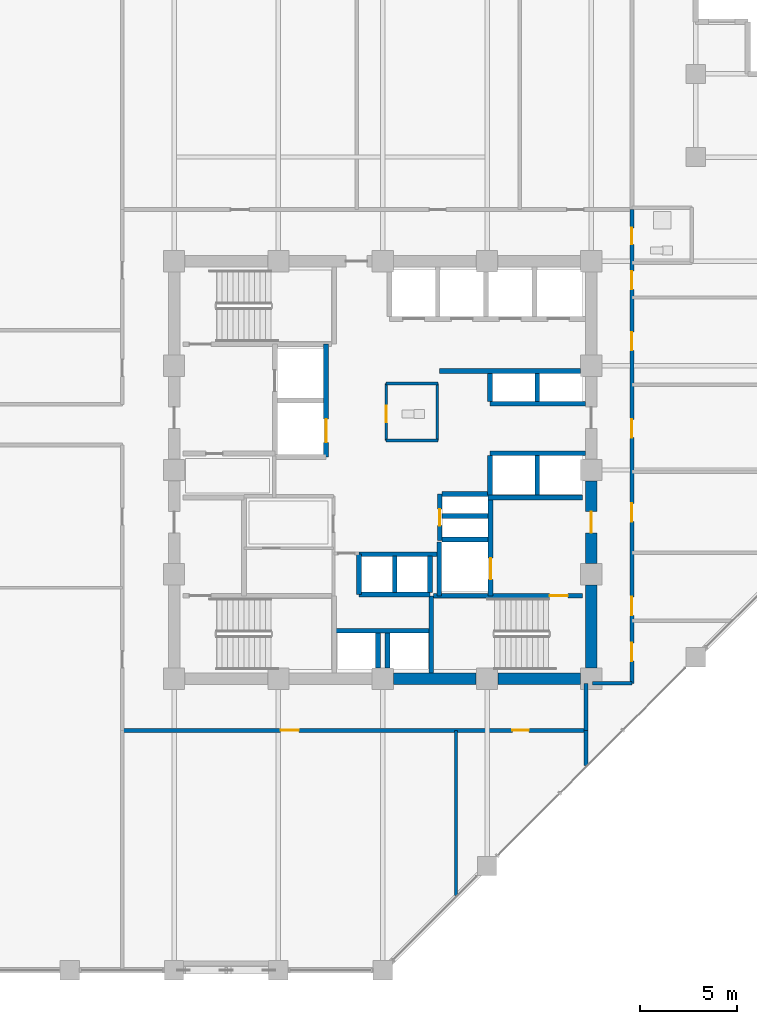
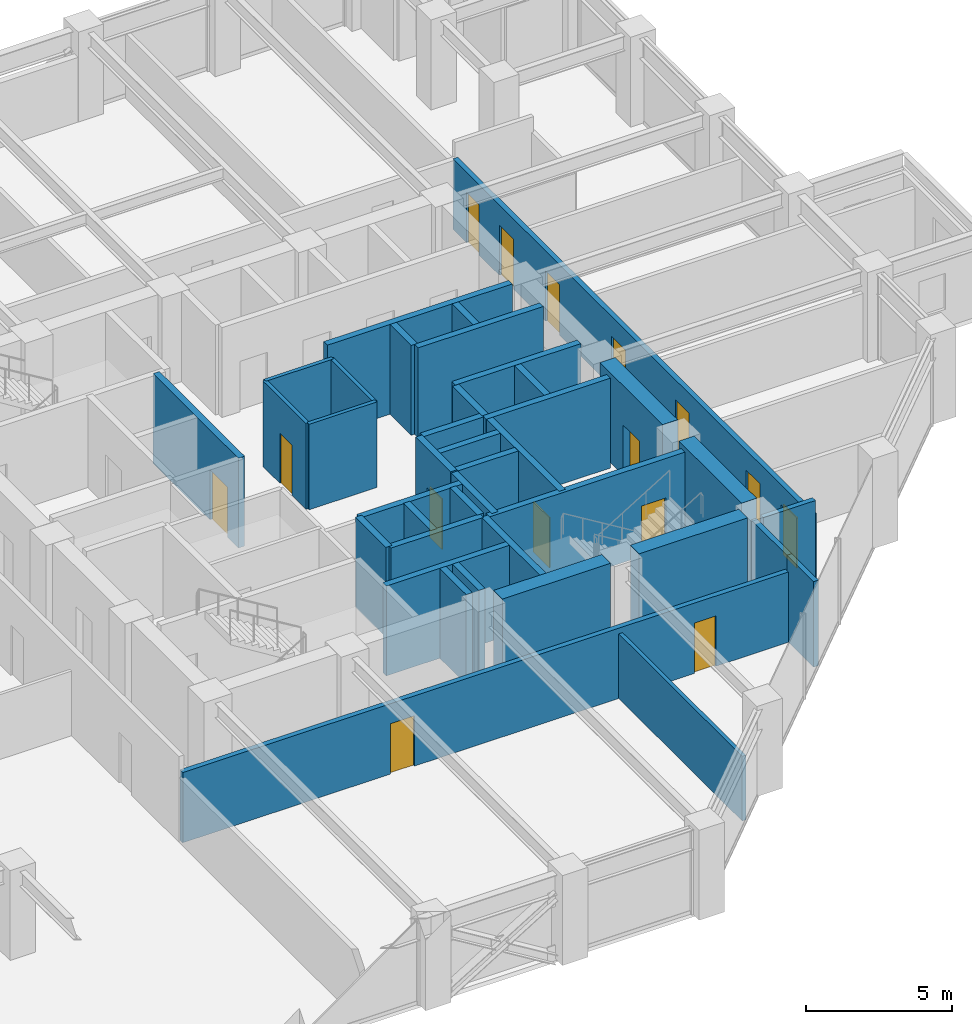
# One storey, part 19 of 25: 39 walls, 15 doors, 15 openings.
"""IFC4 building model written with IfcOpenShell, lengths in metres."""

from ifc_helpers import new_model, si_unit, direction, frame, frame_2d, origin, place, context, subcontext, project, spatial, rectangle, extrude, material, layer, layer_set, type_object, element, fill, save


model = new_model("IFC4")

# Units and contexts
model_context = context("Model", 3, precision=1e-05, world=origin(), true_north=direction((0.0, 1.0)))
body_context = subcontext(model_context, "Body", "Model", "MODEL_VIEW")
ifc_project = project(units=[si_unit("LENGTHUNIT", "METRE"), si_unit("AREAUNIT", "SQUARE_METRE"), si_unit("VOLUMEUNIT", "CUBIC_METRE"), si_unit("PLANEANGLEUNIT", "RADIAN"), si_unit("MASSUNIT", "GRAM", prefix="KILO")], contexts=[model_context])

# Site, building, storey
site_placement = place(None, origin())
site = spatial("IfcSite", under=ifc_project, at=site_placement, CompositionType="ELEMENT")
building_placement = place(site_placement, origin())
building = spatial("IfcBuilding", under=site, at=building_placement, Name="Surkhivell Harbour Commons", CompositionType="ELEMENT")
storey_placement = place(building_placement, frame((0.0, 0.0, 139.5)))
storey = spatial("IfcBuildingStorey", under=building, at=storey_placement, Name="L36", CompositionType="ELEMENT", Elevation=139.5)

# Wall
ifc_material_1 = material(Name="Concrete C60/75", Category="concrete")
ifc_layer_1 = layer(ifc_material_1, 0.60009765625)
ifc_layer_set_1 = layer_set([ifc_layer_1], Name="Concrete C60/75")
wall_type_1 = type_object("IfcWallType", Name="WAL-CORE-600", PredefinedType="SHEAR", material=ifc_layer_set_1)
wall_1_placement = place(storey_placement, frame((10.800048828125, -10.239990234375, 0.0), z_axis=(0.0, 0.0, 1.0), x_axis=(0.0, 1.0, 0.0)))
element("IfcWall", 1, at=wall_1_placement, inside=storey, type_object=wall_type_1, Name="L36 Core Shear Wall East 1", PredefinedType="SHEAR", context=body_context, shape_type="SweptSolid", body=[
    extrude(rectangle(XDim=4.280029296875, YDim=0.60009765625, at=frame_2d((2.14013671875, 0.0))), origin(), (0.0, 0.0, 1.0), 3.75),
])

# Wall, opening, door
wall_2_placement = place(storey_placement, frame((10.800048828125, -4.840087890625, 0.0), z_axis=(0.0, 0.0, 1.0), x_axis=(0.0, 1.0, 0.0)))
wall_2 = element("IfcWall", 2, at=wall_2_placement, inside=storey, type_object=wall_type_1, Name="L36 Core Shear Wall East 2", PredefinedType="SHEAR", context=body_context, shape_type="SweptSolid", body=[
    extrude(rectangle(XDim=4.280029296875, YDim=0.60009765625, at=frame_2d((2.14013671875, 0.0))), origin(), (0.0, 0.0, 1.0), 3.75),
])
opening_1_placement = place(wall_2_placement, frame((1.590087890625, 0.0, 0.0)))
opening_1 = element("IfcOpeningElement", 3, at=opening_1_placement, cuts=wall_2, Name="Opening ID-1", PredefinedType="OPENING", context=body_context, shape_type="SweptSolid", body=[
    extrude(rectangle(XDim=1.10009765625, YDim=2.10009765625, at=frame_2d((0.550048828125, 1.050048828125))), frame((0.0, 0.31005859375, 0.0), z_axis=(0.0, -1.0, 0.0), x_axis=(1.0, 0.0, 0.0)), (0.0, 0.0, 1.0), 0.6201171875),
])
ifc_material_2 = material(Name="Hardwood-veneered fire-rated door leaf", Category="wood")
door_type_1 = type_object("IfcDoorType", Name="DOR-FD120-1100", OperationType="NOTDEFINED", PredefinedType="DOOR", material=ifc_material_2)
door_1_placement = place(opening_1_placement, origin())
door_1 = element("IfcDoor", 4, at=door_1_placement, inside=storey, type_object=door_type_1, Name="L36 Firefighting Lobby 2 Corridor Door", OperationType="SINGLE_SWING_RIGHT", OverallHeight=2.10009765625, OverallWidth=1.10009765625, PredefinedType="DOOR", context=body_context, shape_type="SweptSolid", body=[
    extrude(rectangle(XDim=1.10009765625, YDim=2.10009765625, at=frame_2d((0.550048828125, 1.050048828125))), frame((0.0, 0.02490234375, 0.0), z_axis=(0.0, -1.0, 0.0), x_axis=(1.0, 0.0, 0.0)), (0.0, 0.0, 1.0), 0.050048828125),
])
fill(opening_1, door_1)

# Walls
for number, where, z_axis, x_axis, name in (
    (5, (0.56005859375, -10.800048828125, 0.0), (0.0, 0.0, 1.0), (1.0, 0.0, 0.0), "L36 Core Shear Wall South 3"),
    (6, (5.9599609375, -10.800048828125, 0.0), (0.0, 0.0, 1.0), (1.0, 0.0, 0.0), "L36 Core Shear Wall South 4"),
):
    element("IfcWall", number, at=place(storey_placement, frame(where, z_axis=z_axis, x_axis=x_axis)), inside=storey, type_object=wall_type_1, Name=name, PredefinedType="SHEAR", context=body_context, shape_type="SweptSolid", body=[
        extrude(rectangle(XDim=4.280029296875, YDim=0.60009765625, at=frame_2d((2.14013671875, 0.0))), origin(), (0.0, 0.0, 1.0), 3.75),
    ])
ifc_material_3 = material(Name="Twin-stud acoustic fireboard partition", Category="other")
ifc_layer_2 = layer(ifc_material_3, 0.14990234375)
ifc_layer_set_2 = layer_set([ifc_layer_2], Name="Twin-stud acoustic fireboard partition")
wall_type_2 = type_object("IfcWallType", Name="WAL-INT-150", PredefinedType="PARTITIONING", material=ifc_layer_set_2)
wall_3_placement = place(storey_placement, frame((2.820068359375, 1.52001953125, 0.0), z_axis=(0.0, 0.0, 1.0), x_axis=(0.0, 1.0, 0.0)))
element("IfcWall", 7, at=wall_3_placement, inside=storey, type_object=wall_type_2, Name="L36 Core Accessible WC East Wall", PredefinedType="PARTITIONING", context=body_context, shape_type="SweptSolid", body=[
    extrude(rectangle(XDim=2.9599609375, YDim=0.14990234375, at=frame_2d((1.47998046875, 0.0))), origin(), (0.0, 0.0, 1.0), 3.570068359375),
])
for number, where, z_axis, x_axis, name in (
    (8, (0.179931640625, 4.47998046875, 0.0), (0.0, 0.0, 1.0), (1.0, 0.0, 0.0), "L36 Core Accessible WC North Wall"),
    (9, (0.179931640625, 1.52001953125, 0.0), (0.0, 0.0, 1.0), (1.0, 0.0, 0.0), "L36 Core Accessible WC South Wall"),
):
    element("IfcWall", number, at=place(storey_placement, frame(where, z_axis=z_axis, x_axis=x_axis)), inside=storey, type_object=wall_type_2, Name=name, PredefinedType="PARTITIONING", context=body_context, shape_type="SweptSolid", body=[
        extrude(rectangle(XDim=2.670166015625, YDim=0.14990234375, at=frame_2d((1.3349609375, 0.0))), origin(), (0.0, 0.0, 1.0), 3.570068359375),
    ])

# Wall, opening, door
wall_4_placement = place(storey_placement, frame((0.179931640625, 1.52001953125, 0.0), z_axis=(0.0, 0.0, 1.0), x_axis=(0.0, 1.0, 0.0)))
wall_4 = element("IfcWall", 10, at=wall_4_placement, inside=storey, type_object=wall_type_2, Name="L36 Core Accessible WC West Wall", PredefinedType="PARTITIONING", context=body_context, shape_type="SweptSolid", body=[
    extrude(rectangle(XDim=2.9599609375, YDim=0.14990234375, at=frame_2d((1.47998046875, 0.0))), origin(), (0.0, 0.0, 1.0), 3.570068359375),
])
opening_2_placement = place(wall_4_placement, frame((0.949951171875, 0.0, 0.0)))
opening_2 = element("IfcOpeningElement", 11, at=opening_2_placement, cuts=wall_4, Name="Opening ID-6", PredefinedType="OPENING", context=body_context, shape_type="SweptSolid", body=[
    extrude(rectangle(XDim=0.85009765625, YDim=2.10009765625, at=frame_2d((0.425048828125, 1.050048828125))), frame((0.0, 0.0849609375, 0.0), z_axis=(0.0, -1.0, 0.0), x_axis=(1.0, 0.0, 0.0)), (0.0, 0.0, 1.0), 0.169921875),
])
door_type_2 = type_object("IfcDoorType", Name="DOR-FD30-850", OperationType="NOTDEFINED", PredefinedType="DOOR", material=ifc_material_2)
door_2_placement = place(opening_2_placement, origin())
door_2 = element("IfcDoor", 12, at=door_2_placement, inside=storey, type_object=door_type_2, Name="L36 Floor Accessible WC Door", OperationType="SINGLE_SWING_RIGHT", OverallHeight=2.10009765625, OverallWidth=0.85009765625, PredefinedType="DOOR", context=body_context, shape_type="SweptSolid", body=[
    extrude(rectangle(XDim=0.85009765625, YDim=2.10009765625, at=frame_2d((0.425048828125, 1.050048828125))), frame((0.0, 0.02490234375, 0.0), z_axis=(0.0, -1.0, 0.0), x_axis=(1.0, 0.0, 0.0)), (0.0, 0.0, 1.0), 0.050048828125),
])
fill(opening_2, door_2)

# Walls
wall_5_placement = place(storey_placement, frame((3.800048828125, -22.01513671875, 0.0), z_axis=(0.0, 0.0, 1.0), x_axis=(0.0, 1.0, 0.0)))
element("IfcWall", 13, at=wall_5_placement, inside=storey, type_object=wall_type_2, Name="L36 South Partition P1", PredefinedType="PARTITIONING", context=body_context, shape_type="SweptSolid", body=[
    extrude(rectangle(XDim=8.53515625, YDim=0.14990234375, at=frame_2d((4.267578125, 0.0))), origin(), (0.0, 0.0, 1.0), 2.698974609375),
])
ifc_material_4 = material(Name="Autoclaved aerated concrete blockwork and fire plaster", Category="masonry")
ifc_layer_3 = layer(ifc_material_4, 0.199951171875)
ifc_layer_set_3 = layer_set([ifc_layer_3], Name="Autoclaved aerated concrete blockwork and fire plaster")
wall_type_3 = type_object("IfcWallType", Name="WAL-INT-200", PredefinedType="PARTITIONING", material=ifc_layer_set_3)
wall_6_placement = place(storey_placement, frame((10.52001953125, -15.295166015625, 0.0), z_axis=(0.0, 0.0, 1.0), x_axis=(0.0, 1.0, 0.0)))
element("IfcWall", 14, at=wall_6_placement, inside=storey, type_object=wall_type_3, Name="L36 South-East Wing Corner Divider", PredefinedType="PARTITIONING", context=body_context, shape_type="SweptSolid", body=[
    extrude(rectangle(XDim=1.815185546875, YDim=0.199951171875, at=frame_2d((0.90771484375, 0.0))), origin(), (0.0, 0.0, 1.0), 3.570068359375),
])

# Wall, openings, doors
wall_7_placement = place(storey_placement, frame((12.89990234375, -11.0400390625, 0.0), z_axis=(0.0, 0.0, 1.0), x_axis=(0.0, 1.0, 0.0)))
wall_7 = element("IfcWall", 15, at=wall_7_placement, inside=storey, type_object=wall_type_3, Name="L36 Corridor East Wall", PredefinedType="PARTITIONING", context=body_context, shape_type="SweptSolid", body=[
    extrude(rectangle(XDim=24.52001953125, YDim=0.199951171875, at=frame_2d((12.260009765625, 0.0))), origin(), (0.0, 0.0, 1.0), 2.93310546875),
])
opening_3_placement = place(wall_7_placement, frame((1.139892578125, 0.0, 0.0)))
opening_3 = element("IfcOpeningElement", 16, at=opening_3_placement, cuts=wall_7, Name="Opening ID-4", PredefinedType="OPENING", context=body_context, shape_type="SweptSolid", body=[
    extrude(rectangle(XDim=0.949951171875, YDim=2.10009765625, at=frame_2d((0.47509765625, 1.050048828125))), frame((0.0, 0.10986328125, 0.0), z_axis=(0.0, -1.0, 0.0), x_axis=(1.0, 0.0, 0.0)), (0.0, 0.0, 1.0), 0.219970703125),
])
opening_4_placement = place(wall_7_placement, frame((22.72509765625, 0.0, 0.0)))
opening_4 = element("IfcOpeningElement", 17, at=opening_4_placement, cuts=wall_7, Name="Opening ID-6", PredefinedType="OPENING", context=body_context, shape_type="SweptSolid", body=[
    extrude(rectangle(XDim=0.85009765625, YDim=2.10009765625, at=frame_2d((0.425048828125, 1.050048828125))), frame((0.0, 0.10986328125, 0.0), z_axis=(0.0, -1.0, 0.0), x_axis=(1.0, 0.0, 0.0)), (0.0, 0.0, 1.0), 0.219970703125),
])
opening_5_placement = place(wall_7_placement, frame((20.389892578125, 0.0, 0.0)))
opening_5 = element("IfcOpeningElement", 18, at=opening_5_placement, cuts=wall_7, Name="Opening ID-4", PredefinedType="OPENING", context=body_context, shape_type="SweptSolid", body=[
    extrude(rectangle(XDim=0.949951171875, YDim=2.10009765625, at=frame_2d((0.47509765625, 1.050048828125))), frame((0.0, 0.10986328125, 0.0), z_axis=(0.0, -1.0, 0.0), x_axis=(1.0, 0.0, 0.0)), (0.0, 0.0, 1.0), 0.219970703125),
])
opening_6_placement = place(wall_7_placement, frame((3.52001953125, 0.0, 0.0)))
opening_6 = element("IfcOpeningElement", 19, at=opening_6_placement, cuts=wall_7, Name="Opening ID-4", PredefinedType="OPENING", context=body_context, shape_type="SweptSolid", body=[
    extrude(rectangle(XDim=0.949951171875, YDim=2.10009765625, at=frame_2d((0.47509765625, 1.050048828125))), frame((0.0, 0.10986328125, 0.0), z_axis=(0.0, -1.0, 0.0), x_axis=(1.0, 0.0, 0.0)), (0.0, 0.0, 1.0), 0.219970703125),
])
opening_7_placement = place(wall_7_placement, frame((8.364990234375, 0.0, 0.0)))
opening_7 = element("IfcOpeningElement", 20, at=opening_7_placement, cuts=wall_7, Name="Opening ID-4", PredefinedType="OPENING", context=body_context, shape_type="SweptSolid", body=[
    extrude(rectangle(XDim=0.949951171875, YDim=2.10009765625, at=frame_2d((0.47509765625, 1.050048828125))), frame((0.0, 0.10986328125, 0.0), z_axis=(0.0, -1.0, 0.0), x_axis=(1.0, 0.0, 0.0)), (0.0, 0.0, 1.0), 0.219970703125),
])
opening_8_placement = place(wall_7_placement, frame((12.715087890625, 0.0, 0.0)))
opening_8 = element("IfcOpeningElement", 21, at=opening_8_placement, cuts=wall_7, Name="Opening ID-4", PredefinedType="OPENING", context=body_context, shape_type="SweptSolid", body=[
    extrude(rectangle(XDim=0.949951171875, YDim=2.10009765625, at=frame_2d((0.47509765625, 1.050048828125))), frame((0.0, 0.10986328125, 0.0), z_axis=(0.0, -1.0, 0.0), x_axis=(1.0, 0.0, 0.0)), (0.0, 0.0, 1.0), 0.219970703125),
])
opening_9_placement = place(wall_7_placement, frame((17.22998046875, 0.0, 0.0)))
opening_9 = element("IfcOpeningElement", 22, at=opening_9_placement, cuts=wall_7, Name="Opening ID-4", PredefinedType="OPENING", context=body_context, shape_type="SweptSolid", body=[
    extrude(rectangle(XDim=0.949951171875, YDim=2.10009765625, at=frame_2d((0.47509765625, 1.050048828125))), frame((0.0, 0.10986328125, 0.0), z_axis=(0.0, -1.0, 0.0), x_axis=(1.0, 0.0, 0.0)), (0.0, 0.0, 1.0), 0.219970703125),
])
door_3_placement = place(opening_4_placement, origin())
door_3 = element("IfcDoor", 23, at=door_3_placement, inside=storey, type_object=door_type_2, Name="L36 Communal Shower Bathroom East Door", OperationType="SINGLE_SWING_RIGHT", OverallHeight=2.10009765625, OverallWidth=0.85009765625, PredefinedType="DOOR", context=body_context, shape_type="SweptSolid", body=[
    extrude(rectangle(XDim=0.85009765625, YDim=2.10009765625, at=frame_2d((0.425048828125, 1.050048828125))), frame((0.0, 0.02490234375, 0.0), z_axis=(0.0, -1.0, 0.0), x_axis=(1.0, 0.0, 0.0)), (0.0, 0.0, 1.0), 0.050048828125),
])
fill(opening_4, door_3)
door_type_3 = type_object("IfcDoorType", Name="DOR-FD60-950", OperationType="NOTDEFINED", PredefinedType="DOOR", material=ifc_material_2)
door_4_placement = place(opening_3_placement, origin())
door_4 = element("IfcDoor", 24, at=door_4_placement, inside=storey, type_object=door_type_3, Name="L36 Shared Communal Kitchen East Door", OperationType="SINGLE_SWING_LEFT", OverallHeight=2.10009765625, OverallWidth=0.949951171875, PredefinedType="DOOR", context=body_context, shape_type="SweptSolid", body=[
    extrude(rectangle(XDim=0.949951171875, YDim=2.10009765625, at=frame_2d((0.47509765625, 1.050048828125))), frame((0.0, 0.02490234375, 0.0), z_axis=(0.0, -1.0, 0.0), x_axis=(1.0, 0.0, 0.0)), (0.0, 0.0, 1.0), 0.050048828125),
])
fill(opening_3, door_4)
door_5_placement = place(opening_5_placement, origin())
door_5 = element("IfcDoor", 25, at=door_5_placement, inside=storey, type_object=door_type_3, Name="L36 Academic Reading Commons East Door", OperationType="SINGLE_SWING_LEFT", OverallHeight=2.10009765625, OverallWidth=0.949951171875, PredefinedType="DOOR", context=body_context, shape_type="SweptSolid", body=[
    extrude(rectangle(XDim=0.949951171875, YDim=2.10009765625, at=frame_2d((0.47509765625, 1.050048828125))), frame((0.0, 0.02490234375, 0.0), z_axis=(0.0, -1.0, 0.0), x_axis=(1.0, 0.0, 0.0)), (0.0, 0.0, 1.0), 0.050048828125),
])
fill(opening_5, door_5)
door_6_placement = place(opening_6_placement, origin())
door_6 = element("IfcDoor", 26, at=door_6_placement, inside=storey, type_object=door_type_3, Name="L36 Hostel Cluster Bedroom 1 East Door", OperationType="SINGLE_SWING_RIGHT", OverallHeight=2.10009765625, OverallWidth=0.949951171875, PredefinedType="DOOR", context=body_context, shape_type="SweptSolid", body=[
    extrude(rectangle(XDim=0.949951171875, YDim=2.10009765625, at=frame_2d((0.47509765625, 1.050048828125))), frame((0.0, 0.02490234375, 0.0), z_axis=(0.0, -1.0, 0.0), x_axis=(1.0, 0.0, 0.0)), (0.0, 0.0, 1.0), 0.050048828125),
])
fill(opening_6, door_6)
door_7_placement = place(opening_7_placement, origin())
door_7 = element("IfcDoor", 27, at=door_7_placement, inside=storey, type_object=door_type_3, Name="L36 Co-Living Dormitory Bedroom 2 East Door", OperationType="SINGLE_SWING_LEFT", OverallHeight=2.10009765625, OverallWidth=0.949951171875, PredefinedType="DOOR", context=body_context, shape_type="SweptSolid", body=[
    extrude(rectangle(XDim=0.949951171875, YDim=2.10009765625, at=frame_2d((0.47509765625, 1.050048828125))), frame((0.0, 0.02490234375, 0.0), z_axis=(0.0, -1.0, 0.0), x_axis=(1.0, 0.0, 0.0)), (0.0, 0.0, 1.0), 0.050048828125),
])
fill(opening_7, door_7)
door_8_placement = place(opening_8_placement, origin())
door_8 = element("IfcDoor", 28, at=door_8_placement, inside=storey, type_object=door_type_3, Name="L36 Hostel Cluster Bedroom 3 East Door", OperationType="SINGLE_SWING_RIGHT", OverallHeight=2.10009765625, OverallWidth=0.949951171875, PredefinedType="DOOR", context=body_context, shape_type="SweptSolid", body=[
    extrude(rectangle(XDim=0.949951171875, YDim=2.10009765625, at=frame_2d((0.47509765625, 1.050048828125))), frame((0.0, 0.02490234375, 0.0), z_axis=(0.0, -1.0, 0.0), x_axis=(1.0, 0.0, 0.0)), (0.0, 0.0, 1.0), 0.050048828125),
])
fill(opening_8, door_8)
door_9_placement = place(opening_9_placement, origin())
door_9 = element("IfcDoor", 29, at=door_9_placement, inside=storey, type_object=door_type_3, Name="L36 Co-Living Dormitory Bedroom 4 East Door", OperationType="SINGLE_SWING_LEFT", OverallHeight=2.10009765625, OverallWidth=0.949951171875, PredefinedType="DOOR", context=body_context, shape_type="SweptSolid", body=[
    extrude(rectangle(XDim=0.949951171875, YDim=2.10009765625, at=frame_2d((0.47509765625, 1.050048828125))), frame((0.0, 0.02490234375, 0.0), z_axis=(0.0, -1.0, 0.0), x_axis=(1.0, 0.0, 0.0)), (0.0, 0.0, 1.0), 0.050048828125),
])
fill(opening_9, door_9)

# Wall
wall_8_placement = place(storey_placement, frame((10.85009765625, -11.0400390625, 0.0), z_axis=(0.0, 0.0, 1.0), x_axis=(1.0, 0.0, 0.0)))
element("IfcWall", 30, at=wall_8_placement, inside=storey, type_object=wall_type_3, Name="L36 Corridor East South Closure Wall", PredefinedType="PARTITIONING", context=body_context, shape_type="SweptSolid", body=[
    extrude(rectangle(XDim=2.0498046875, YDim=0.199951171875, at=frame_2d((1.02490234375, 0.0))), origin(), (0.0, 0.0, 1.0), 3.570068359375),
])

# Wall, openings, doors
wall_9_placement = place(storey_placement, frame((-13.47998046875, -13.47998046875, 0.0), z_axis=(0.0, 0.0, 1.0), x_axis=(1.0, 0.0, 0.0)))
wall_9 = element("IfcWall", 31, at=wall_9_placement, inside=storey, type_object=wall_type_3, Name="L36 Corridor South Wall", PredefinedType="PARTITIONING", context=body_context, shape_type="SweptSolid", body=[
    extrude(rectangle(XDim=24.0, YDim=0.199951171875, at=frame_2d((12.0, 0.0))), origin(), (0.0, 0.0, 1.0), 2.93310546875),
])
opening_10_placement = place(wall_9_placement, frame((8.18994140625, 0.0, 0.0)))
opening_10 = element("IfcOpeningElement", 32, at=opening_10_placement, cuts=wall_9, Name="Opening ID-4", PredefinedType="OPENING", context=body_context, shape_type="SweptSolid", body=[
    extrude(rectangle(XDim=0.949951171875, YDim=2.10009765625, at=frame_2d((0.47509765625, 1.050048828125))), frame((0.0, 0.10986328125, 0.0), z_axis=(0.0, -1.0, 0.0), x_axis=(1.0, 0.0, 0.0)), (0.0, 0.0, 1.0), 0.219970703125),
])
opening_11_placement = place(wall_9_placement, frame((20.18994140625, 0.0, 0.0)))
opening_11 = element("IfcOpeningElement", 33, at=opening_11_placement, cuts=wall_9, Name="Opening ID-6", PredefinedType="OPENING", context=body_context, shape_type="SweptSolid", body=[
    extrude(rectangle(XDim=0.85009765625, YDim=2.10009765625, at=frame_2d((0.425048828125, 1.050048828125))), frame((0.0, 0.10986328125, 0.0), z_axis=(0.0, -1.0, 0.0), x_axis=(1.0, 0.0, 0.0)), (0.0, 0.0, 1.0), 0.219970703125),
])
door_10_placement = place(opening_11_placement, origin())
door_10 = element("IfcDoor", 34, at=door_10_placement, inside=storey, type_object=door_type_2, Name="L36 Resident Advisory Reception Desk South Door", OperationType="SINGLE_SWING_LEFT", OverallHeight=2.10009765625, OverallWidth=0.85009765625, PredefinedType="DOOR", context=body_context, shape_type="SweptSolid", body=[
    extrude(rectangle(XDim=0.85009765625, YDim=2.10009765625, at=frame_2d((0.425048828125, 1.050048828125))), frame((0.0, 0.02490234375, 0.0), z_axis=(0.0, -1.0, 0.0), x_axis=(1.0, 0.0, 0.0)), (0.0, 0.0, 1.0), 0.050048828125),
])
fill(opening_11, door_10)
door_11_placement = place(opening_10_placement, origin())
door_11 = element("IfcDoor", 35, at=door_11_placement, inside=storey, type_object=door_type_3, Name="L36 Zone Concierge Reception Foyer South Door", OperationType="SINGLE_SWING_RIGHT", OverallHeight=2.10009765625, OverallWidth=0.949951171875, PredefinedType="DOOR", context=body_context, shape_type="SweptSolid", body=[
    extrude(rectangle(XDim=0.949951171875, YDim=2.10009765625, at=frame_2d((0.47509765625, 1.050048828125))), frame((0.0, 0.02490234375, 0.0), z_axis=(0.0, -1.0, 0.0), x_axis=(1.0, 0.0, 0.0)), (0.0, 0.0, 1.0), 0.050048828125),
])
fill(opening_10, door_11)

# Walls
wall_10_placement = place(storey_placement, frame((10.52001953125, -13.47998046875, 0.0), z_axis=(0.0, 0.0, 1.0), x_axis=(0.0, 1.0, 0.0)))
element("IfcWall", 36, at=wall_10_placement, inside=storey, type_object=wall_type_3, Name="L36 Corridor SE Closure Wall", PredefinedType="PARTITIONING", context=body_context, shape_type="SweptSolid", body=[
    extrude(rectangle(XDim=2.43994140625, YDim=0.199951171875, at=frame_2d((1.219970703125, 0.0))), origin(), (0.0, 0.0, 1.0), 3.570068359375),
])
ifc_material_5 = material(Name="Concrete C50/60", Category="concrete")
ifc_layer_4 = layer(ifc_material_5, 0.25)
ifc_layer_set_4 = layer_set([ifc_layer_4], Name="Concrete C50/60")
wall_type_4 = type_object("IfcWallType", Name="WAL-SHAFT-250", PredefinedType="SHEAR", material=ifc_layer_set_4)
wall_11_placement = place(storey_placement, frame((2.929931640625, -6.510009765625, 0.0), z_axis=(0.0, 0.0, 1.0), x_axis=(0.0, 1.0, 0.0)))
element("IfcWall", 37, at=wall_11_placement, inside=storey, type_object=wall_type_4, Name="L36 FFL2 West Shaft Wall", PredefinedType="SHEAR", context=body_context, shape_type="SweptSolid", body=[
    extrude(rectangle(XDim=2.7900390625, YDim=0.25, at=frame_2d((1.39501953125, 0.0))), origin(), (0.0, 0.0, 1.0), 3.75),
])
wall_12_placement = place(storey_placement, frame((5.43994140625, -1.419921875, 0.0), z_axis=(0.0, 0.0, 1.0), x_axis=(1.0, 0.0, 0.0)))
element("IfcWall", 38, at=wall_12_placement, inside=storey, type_object=wall_type_4, Name="L36 Firefighting Lobby 2 North Wall", PredefinedType="SHEAR", context=body_context, shape_type="SweptSolid", body=[
    extrude(rectangle(XDim=4.900146484375, YDim=0.25, at=frame_2d((2.4501953125, 0.0))), origin(), (0.0, 0.0, 1.0), 3.75),
])
wall_13_placement = place(storey_placement, frame((3.080078125, -3.60009765625, 0.0), z_axis=(0.0, 0.0, 1.0), x_axis=(1.0, 0.0, 0.0)))
element("IfcWall", 39, at=wall_13_placement, inside=storey, type_object=wall_type_4, Name="L36 FFL2 North Shaft Wall", PredefinedType="SHEAR", context=body_context, shape_type="SweptSolid", body=[
    extrude(rectangle(XDim=2.369873046875, YDim=0.25, at=frame_2d((1.18505859375, 0.0))), origin(), (0.0, 0.0, 1.0), 3.75),
])

# Wall, opening, door
wall_14_placement = place(storey_placement, frame((5.580078125, -6.510009765625, 0.0), z_axis=(0.0, 0.0, 1.0), x_axis=(0.0, 1.0, 0.0)))
wall_14 = element("IfcWall", 40, at=wall_14_placement, inside=storey, type_object=wall_type_4, Name="L36 Firefighting Lobby 2 West Shaft Wall", PredefinedType="SHEAR", context=body_context, shape_type="SweptSolid", body=[
    extrude(rectangle(XDim=5.090087890625, YDim=0.25, at=frame_2d((2.544921875, 0.0))), origin(), (0.0, 0.0, 1.0), 3.75),
])
opening_12_placement = place(wall_14_placement, frame((0.85009765625, 0.0, 0.0)))
opening_12 = element("IfcOpeningElement", 41, at=opening_12_placement, cuts=wall_14, Name="Opening LD-1", PredefinedType="OPENING", context=body_context, shape_type="SweptSolid", body=[
    extrude(rectangle(XDim=1.10009765625, YDim=2.10009765625, at=frame_2d((0.550048828125, 1.050048828125))), frame((0.0, 0.135009765625, 0.0), z_axis=(0.0, -1.0, 0.0), x_axis=(1.0, 0.0, 0.0)), (0.0, 0.0, 1.0), 0.27001953125),
])
ifc_material_6 = material(Name="Brushed stainless steel S355", Category="steel")
door_type_4 = type_object("IfcDoorType", Name="DOR-LD-1100", OperationType="SLIDING_TO_LEFT", PredefinedType="DOOR", material=ifc_material_6)
door_12_placement = place(opening_12_placement, origin())
door_12 = element("IfcDoor", 42, at=door_12_placement, inside=storey, type_object=door_type_4, Name="L36 Lift Landing Door LD-FFL2", OperationType="SLIDING_TO_RIGHT", OverallHeight=2.10009765625, OverallWidth=1.10009765625, PredefinedType="DOOR", context=body_context, shape_type="SweptSolid", body=[
    extrude(rectangle(XDim=1.10009765625, YDim=2.10009765625, at=frame_2d((0.550048828125, 1.050048828125))), frame((0.0, 0.02490234375, 0.0), z_axis=(0.0, -1.0, 0.0), x_axis=(1.0, 0.0, 0.0)), (0.0, 0.0, 1.0), 0.050048828125),
])
fill(opening_12, door_12)

# Walls
for number, where, z_axis, x_axis, name in (
    (43, (0.6201171875, -6.340087890625, 0.0), (0.0, 0.0, 1.0), (0.0, 1.0, 0.0), "L36 High-Rise Side Wall N"),
    (44, (2.449951171875, -6.340087890625, 0.0), (0.0, 0.0, 1.0), (0.0, 1.0, 0.0), "L36 High-Rise Side Wall N"),
):
    element("IfcWall", number, at=place(storey_placement, frame(where, z_axis=z_axis, x_axis=x_axis)), inside=storey, type_object=wall_type_4, Name=name, PredefinedType="SHEAR", context=body_context, shape_type="SweptSolid", body=[
        extrude(rectangle(XDim=1.880126953125, YDim=0.25, at=frame_2d((0.93994140625, 0.0))), origin(), (0.0, 0.0, 1.0), 3.75),
    ])
for number, where, z_axis, x_axis, name in (
    (45, (-0.25, -10.25, 0.0), (0.0, 0.0, 1.0), (0.0, 1.0, 0.0), "L36 High-Rise Side Wall S"),
    (46, (0.25, -10.25, 0.0), (0.0, 0.0, 1.0), (0.0, 1.0, 0.0), "L36 High-Rise Side Wall S"),
):
    element("IfcWall", number, at=place(storey_placement, frame(where, z_axis=z_axis, x_axis=x_axis)), inside=storey, type_object=wall_type_4, Name=name, PredefinedType="SHEAR", context=body_context, shape_type="SweptSolid", body=[
        extrude(rectangle(XDim=1.81005859375, YDim=0.25, at=frame_2d((0.905029296875, 0.0))), origin(), (0.0, 0.0, 1.0), 3.75),
    ])
wall_15_placement = place(storey_placement, frame((-1.219970703125, -6.43994140625, 0.0), z_axis=(0.0, 0.0, 1.0), x_axis=(0.0, 1.0, 0.0)))
element("IfcWall", 47, at=wall_15_placement, inside=storey, type_object=wall_type_4, Name="L36 High-Rise Passage East Shaft Wall", PredefinedType="SHEAR", context=body_context, shape_type="SweptSolid", body=[
    extrude(rectangle(XDim=2.079833984375, YDim=0.25, at=frame_2d((1.0400390625, 0.0))), origin(), (0.0, 0.0, 1.0), 3.75),
])
wall_16_placement = place(storey_placement, frame((-1.219970703125, -6.43994140625, 0.0), z_axis=(0.0, 0.0, 1.0), x_axis=(1.0, 0.0, 0.0)))
element("IfcWall", 48, at=wall_16_placement, inside=storey, type_object=wall_type_4, Name="L36 High-Rise North Front Shaft Wall", PredefinedType="SHEAR", context=body_context, shape_type="SweptSolid", body=[
    extrude(rectangle(XDim=3.669921875, YDim=0.25, at=frame_2d((1.8349609375, 0.0))), origin(), (0.0, 0.0, 1.0), 3.75),
])
wall_17_placement = place(storey_placement, frame((-2.47998046875, -8.320068359375, 0.0), z_axis=(0.0, 0.0, 1.0), x_axis=(1.0, 0.0, 0.0)))
element("IfcWall", 49, at=wall_17_placement, inside=storey, type_object=wall_type_4, Name="L36 High-Rise South Front Shaft Wall", PredefinedType="SHEAR", context=body_context, shape_type="SweptSolid", body=[
    extrude(rectangle(XDim=4.929931640625, YDim=0.25, at=frame_2d((2.46484375, 0.0))), origin(), (0.0, 0.0, 1.0), 3.75),
])
wall_18_placement = place(storey_placement, frame((-1.219970703125, -4.360107421875, 0.0), z_axis=(0.0, 0.0, 1.0), x_axis=(1.0, 0.0, 0.0)))
element("IfcWall", 50, at=wall_18_placement, inside=storey, type_object=wall_type_4, Name="L36 High-Rise North Back Shaft Wall", PredefinedType="SHEAR", context=body_context, shape_type="SweptSolid", body=[
    extrude(rectangle(XDim=4.030029296875, YDim=0.25, at=frame_2d((2.01513671875, 0.0))), origin(), (0.0, 0.0, 1.0), 3.75),
])
wall_19_placement = place(storey_placement, frame((2.949951171875, 5.1201171875, 0.0), z_axis=(0.0, 0.0, 1.0), x_axis=(1.0, 0.0, 0.0)))
element("IfcWall", 51, at=wall_19_placement, inside=storey, type_object=wall_type_4, Name="L36 Low-Rise Lobby South Wall", PredefinedType="SHEAR", context=body_context, shape_type="SweptSolid", body=[
    extrude(rectangle(XDim=7.300048828125, YDim=0.25, at=frame_2d((3.64990234375, 0.0))), origin(), (0.0, 0.0, 1.0), 3.75),
])
for number, where, z_axis, x_axis, name in (
    (52, (5.550048828125, 3.550048828125, 0.0), (0.0, 0.0, 1.0), (0.0, 1.0, 0.0), "L36 Mid-Rise Shaft Side Wall N"),
    (53, (8.0, 3.550048828125, 0.0), (0.0, 0.0, 1.0), (0.0, 1.0, 0.0), "L36 Mid-Rise Shaft Side Wall N"),
):
    element("IfcWall", number, at=place(storey_placement, frame(where, z_axis=z_axis, x_axis=x_axis)), inside=storey, type_object=wall_type_4, Name=name, PredefinedType="SHEAR", context=body_context, shape_type="SweptSolid", body=[
        extrude(rectangle(XDim=1.449951171875, YDim=0.25, at=frame_2d((0.72509765625, 0.0))), origin(), (0.0, 0.0, 1.0), 3.75),
    ])
for number, where, z_axis, x_axis, name in (
    (54, (5.550048828125, -1.300048828125, 0.0), (0.0, 0.0, 1.0), (0.0, 1.0, 0.0), "L36 Mid-Rise Shaft Side Wall S"),
    (55, (8.0, -1.300048828125, 0.0), (0.0, 0.0, 1.0), (0.0, 1.0, 0.0), "L36 Mid-Rise Shaft Side Wall S"),
):
    element("IfcWall", number, at=place(storey_placement, frame(where, z_axis=z_axis, x_axis=x_axis)), inside=storey, type_object=wall_type_4, Name=name, PredefinedType="SHEAR", context=body_context, shape_type="SweptSolid", body=[
        extrude(rectangle(XDim=2.0400390625, YDim=0.25, at=frame_2d((1.02001953125, 0.0))), origin(), (0.0, 0.0, 1.0), 3.75),
    ])
for number, where, z_axis, x_axis, name in (
    (56, (5.550048828125, 3.429931640625, 0.0), (0.0, 0.0, 1.0), (1.0, 0.0, 0.0), "L36 Mid-Rise North Front Shaft Wall"),
    (57, (5.550048828125, 0.8701171875, 0.0), (0.0, 0.0, 1.0), (1.0, 0.0, 0.0), "L36 Mid-Rise South Front Shaft Wall"),
):
    element("IfcWall", number, at=place(storey_placement, frame(where, z_axis=z_axis, x_axis=x_axis)), inside=storey, type_object=wall_type_4, Name=name, PredefinedType="SHEAR", context=body_context, shape_type="SweptSolid", body=[
        extrude(rectangle(XDim=4.949951171875, YDim=0.25, at=frame_2d((2.47509765625, 0.0))), origin(), (0.0, 0.0, 1.0), 3.75),
    ])
for number, where, z_axis, x_axis, name in (
    (58, (3.080078125, -2.3798828125, 0.0), (0.0, 0.0, 1.0), (1.0, 0.0, 0.0), "L36 Riser Divider Wall"),
    (59, (3.080078125, -1.25, 0.0), (0.0, 0.0, 1.0), (1.0, 0.0, 0.0), "L36 Riser North Wall"),
):
    element("IfcWall", number, at=place(storey_placement, frame(where, z_axis=z_axis, x_axis=x_axis)), inside=storey, type_object=wall_type_4, Name=name, PredefinedType="SHEAR", context=body_context, shape_type="SweptSolid", body=[
        extrude(rectangle(XDim=2.369873046875, YDim=0.25, at=frame_2d((1.18505859375, 0.0))), origin(), (0.0, 0.0, 1.0), 3.75),
    ])

# Wall, opening, door
wall_20_placement = place(storey_placement, frame((2.949951171875, -3.64990234375, 0.0), z_axis=(0.0, 0.0, 1.0), x_axis=(0.0, 1.0, 0.0)))
wall_20 = element("IfcWall", 60, at=wall_20_placement, inside=storey, type_object=wall_type_4, Name="L36 Riser Shaft West Wall", PredefinedType="SHEAR", context=body_context, shape_type="SweptSolid", body=[
    extrude(rectangle(XDim=2.39990234375, YDim=0.25, at=frame_2d((1.199951171875, 0.0))), origin(), (0.0, 0.0, 1.0), 3.75),
])
opening_13_placement = place(wall_20_placement, frame((0.77490234375, 0.0, 0.0)))
opening_13 = element("IfcOpeningElement", 61, at=opening_13_placement, cuts=wall_20, Name="Opening ID-6", PredefinedType="OPENING", context=body_context, shape_type="SweptSolid", body=[
    extrude(rectangle(XDim=0.85009765625, YDim=2.10009765625, at=frame_2d((0.425048828125, 1.050048828125))), frame((0.0, 0.135009765625, 0.0), z_axis=(0.0, -1.0, 0.0), x_axis=(1.0, 0.0, 0.0)), (0.0, 0.0, 1.0), 0.27001953125),
])
door_13_placement = place(opening_13_placement, origin())
door_13 = element("IfcDoor", 62, at=door_13_placement, inside=storey, type_object=door_type_2, Name="L36 Electrical Riser Access Door", OperationType="SINGLE_SWING_LEFT", OverallHeight=2.10009765625, OverallWidth=0.85009765625, PredefinedType="DOOR", context=body_context, shape_type="SweptSolid", body=[
    extrude(rectangle(XDim=0.85009765625, YDim=2.10009765625, at=frame_2d((0.425048828125, 1.050048828125))), frame((0.0, 0.02490234375, 0.0), z_axis=(0.0, -1.0, 0.0), x_axis=(1.0, 0.0, 0.0)), (0.0, 0.0, 1.0), 0.050048828125),
])
fill(opening_13, door_13)

wall_21_placement = place(storey_placement, frame((2.639892578125, -6.510009765625, 0.0), z_axis=(0.0, 0.0, 1.0), x_axis=(1.0, 0.0, 0.0)))
wall_21 = element("IfcWall", 63, at=wall_21_placement, inside=storey, type_object=wall_type_4, Name="L36 Stair ST2 North Shear Wall", PredefinedType="SHEAR", context=body_context, shape_type="SweptSolid", body=[
    extrude(rectangle(XDim=7.7001953125, YDim=0.25, at=frame_2d((3.85009765625, 0.0))), origin(), (0.0, 0.0, 1.0), 3.75),
])
opening_14_placement = place(wall_21_placement, frame((6.0, 0.0, 0.0)))
opening_14 = element("IfcOpeningElement", 64, at=opening_14_placement, cuts=wall_21, Name="Opening ID-4", PredefinedType="OPENING", context=body_context, shape_type="SweptSolid", body=[
    extrude(rectangle(XDim=0.949951171875, YDim=2.10009765625, at=frame_2d((0.47509765625, 1.050048828125))), frame((0.0, 0.135009765625, 0.0), z_axis=(0.0, -1.0, 0.0), x_axis=(1.0, 0.0, 0.0)), (0.0, 0.0, 1.0), 0.27001953125),
])
door_14_placement = place(opening_14_placement, origin())
door_14 = element("IfcDoor", 65, at=door_14_placement, inside=storey, type_object=door_type_3, Name="L36 Stair ST2 Exit Door", OperationType="SINGLE_SWING_RIGHT", OverallHeight=2.10009765625, OverallWidth=0.949951171875, PredefinedType="DOOR", context=body_context, shape_type="SweptSolid", body=[
    extrude(rectangle(XDim=0.949951171875, YDim=2.10009765625, at=frame_2d((0.47509765625, 1.050048828125))), frame((0.0, 0.02490234375, 0.0), z_axis=(0.0, -1.0, 0.0), x_axis=(1.0, 0.0, 0.0)), (0.0, 0.0, 1.0), 0.050048828125),
])
fill(opening_14, door_14)

# Wall
wall_22_placement = place(storey_placement, frame((2.510009765625, -10.5, 0.0), z_axis=(0.0, 0.0, 1.0), x_axis=(0.0, 1.0, 0.0)))
element("IfcWall", 66, at=wall_22_placement, inside=storey, type_object=wall_type_4, Name="L36 Stair ST2 West Shear Wall", PredefinedType="SHEAR", context=body_context, shape_type="SweptSolid", body=[
    extrude(rectangle(XDim=3.989990234375, YDim=0.25, at=frame_2d((1.9951171875, 0.0))), origin(), (0.0, 0.0, 1.0), 3.75),
])

# Wall, opening, door
wall_23_placement = place(storey_placement, frame((-2.929931640625, 0.679931640625, 0.0), z_axis=(0.0, 0.0, 1.0), x_axis=(0.0, 1.0, 0.0)))
wall_23 = element("IfcWall", 67, at=wall_23_placement, inside=storey, type_object=wall_type_4, Name="L36 Service and Fire Lift East Shaft Wall", PredefinedType="SHEAR", context=body_context, shape_type="SweptSolid", body=[
    extrude(rectangle(XDim=5.830078125, YDim=0.25, at=frame_2d((2.9150390625, 0.0))), origin(), (0.0, 0.0, 1.0), 3.75),
])
opening_15_placement = place(wall_23_placement, frame((0.75, 0.0, 0.0)))
opening_15 = element("IfcOpeningElement", 68, at=opening_15_placement, cuts=wall_23, Name="Opening LD-2", PredefinedType="OPENING", context=body_context, shape_type="SweptSolid", body=[
    extrude(rectangle(XDim=1.199951171875, YDim=2.10009765625, at=frame_2d((0.60009765625, 1.050048828125))), frame((0.0, 0.135009765625, 0.0), z_axis=(0.0, -1.0, 0.0), x_axis=(1.0, 0.0, 0.0)), (0.0, 0.0, 1.0), 0.27001953125),
])
door_type_5 = type_object("IfcDoorType", Name="DOR-LD-1200", OperationType="SLIDING_TO_LEFT", PredefinedType="DOOR", material=ifc_material_6)
door_15_placement = place(opening_15_placement, origin())
door_15 = element("IfcDoor", 69, at=door_15_placement, inside=storey, type_object=door_type_5, Name="L36 Lift Landing Door LD-SVL1", OperationType="SLIDING_TO_LEFT", OverallHeight=2.10009765625, OverallWidth=1.199951171875, PredefinedType="DOOR", context=body_context, shape_type="SweptSolid", body=[
    extrude(rectangle(XDim=1.199951171875, YDim=2.10009765625, at=frame_2d((0.60009765625, 1.050048828125))), frame((0.0, 0.02490234375, 0.0), z_axis=(0.0, -1.0, 0.0), x_axis=(1.0, 0.0, 0.0)), (0.0, 0.0, 1.0), 0.050048828125),
])
fill(opening_15, door_15)

save(model, "model.ifc")
